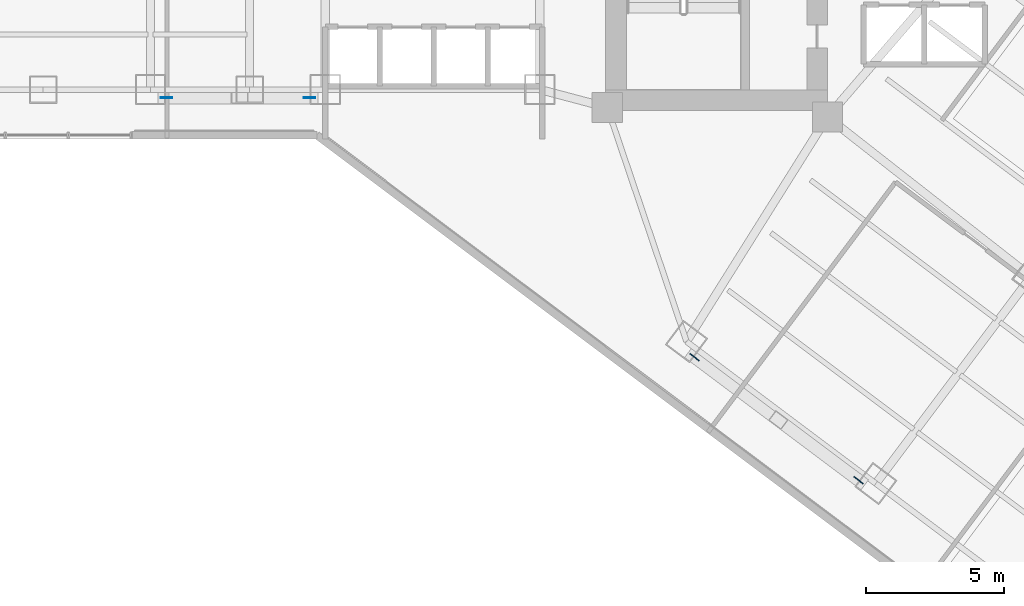
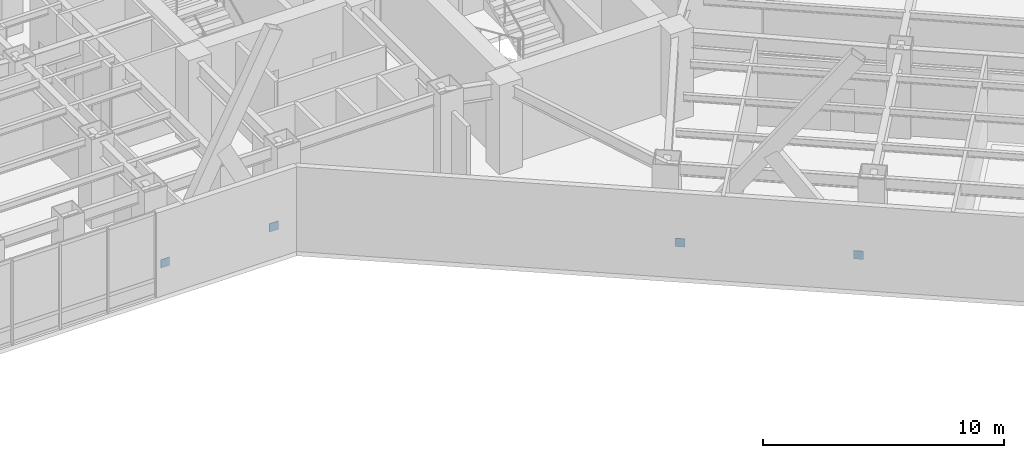
# One storey, part 20 of 29: 4 plates.
"""IFC4 building model written with IfcOpenShell, lengths in metres."""

from ifc_helpers import new_model, si_unit, direction, frame, origin, origin_2d, place, context, subcontext, project, spatial, rectangle, extrude, material, layer, layer_set, type_object, element, save


model = new_model("IFC4")

# Units and contexts
model_context = context("Model", 3, precision=1e-05, world=origin(), true_north=direction((0.0, 1.0)))
body_context = subcontext(model_context, "Body", "Model", "MODEL_VIEW")
ifc_project = project(units=[si_unit("LENGTHUNIT", "METRE"), si_unit("AREAUNIT", "SQUARE_METRE"), si_unit("VOLUMEUNIT", "CUBIC_METRE"), si_unit("PLANEANGLEUNIT", "RADIAN"), si_unit("MASSUNIT", "GRAM", prefix="KILO")], contexts=[model_context])

# Site, building, storey
site_placement = place(None, origin())
site = spatial("IfcSite", under=ifc_project, at=site_placement, CompositionType="ELEMENT")
building_placement = place(site_placement, origin())
building = spatial("IfcBuilding", under=site, at=building_placement, Name="Hatsunagi Terrace Concourse", CompositionType="ELEMENT")
storey_placement = place(building_placement, frame((0.0, 0.0, 32.10009765625)))
storey = spatial("IfcBuildingStorey", under=building, at=storey_placement, Name="L07", CompositionType="ELEMENT", Elevation=32.10009765625)

# Plates
ifc_material = material(Name="Steel SN490C", Category="steel")
ifc_layer = layer(ifc_material, 0.031982421875)
ifc_layer_set = layer_set([ifc_layer], Name="XBraceNodeCapPlate_32")
plate_type = type_object("IfcPlateType", Name="XBraceNodeCapPlate_32", PredefinedType="USERDEFINED", material=ifc_layer_set)
for number, where, z_axis, x_axis, name in (
    (1, (19.77490234375, 24.89990234375, 0.22998046875), (0.0, 0.0, 1.0), (1.0, 0.0, 0.0), "Cast-In Core and Node Embed Plate GP-02 EP-XB-L07-W1-AB"),
    (2, (24.97509765625, 24.89990234375, 0.22998046875), (0.0, 0.0, 1.0), (1.0, 0.0, 0.0), "Cast-In Core and Node Embed Plate GP-02 EP-XB-L07-W1-BB"),
    (3, (38.971923828125, 15.470947265625, 0.22998046875), (0.0, 0.0, 1.0), (0.799999996291, -0.600000004945, 0.0), "Cast-In Core and Node Embed Plate GP-02 EP-XB-L07-SE-AB"),
    (4, (44.931884765625, 11.0009765625, 0.22998046875), (0.0, 0.0, 1.0), (0.799999996291, -0.600000004945, 0.0), "Cast-In Core and Node Embed Plate GP-02 EP-XB-L07-SE-BB"),
):
    element("IfcPlate", number, at=place(storey_placement, frame(where, z_axis=z_axis, x_axis=x_axis)), inside=storey, type_object=plate_type, Name=name, ObjectType="GUSSET_PLATE", PredefinedType="USERDEFINED", context=body_context, shape_type="SweptSolid", body=[
        extrude(rectangle(XDim=0.419921875, YDim=0.031982421875, at=origin_2d()), origin(), (0.0, 0.0, 1.0), 0.419921875),
    ])

save(model, "model.ifc")
